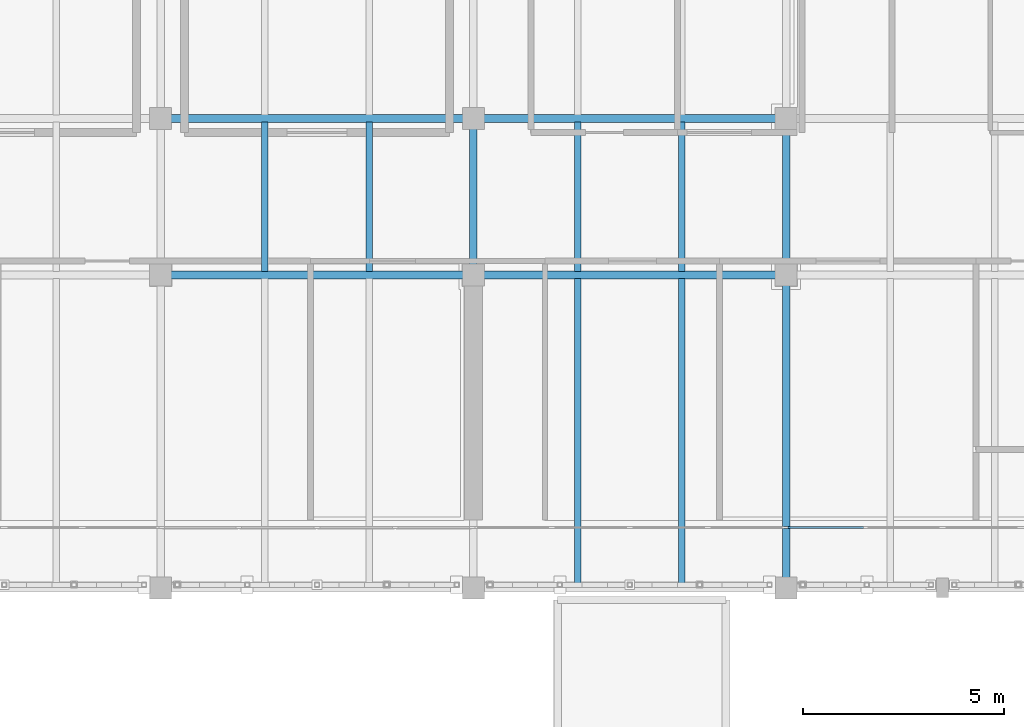
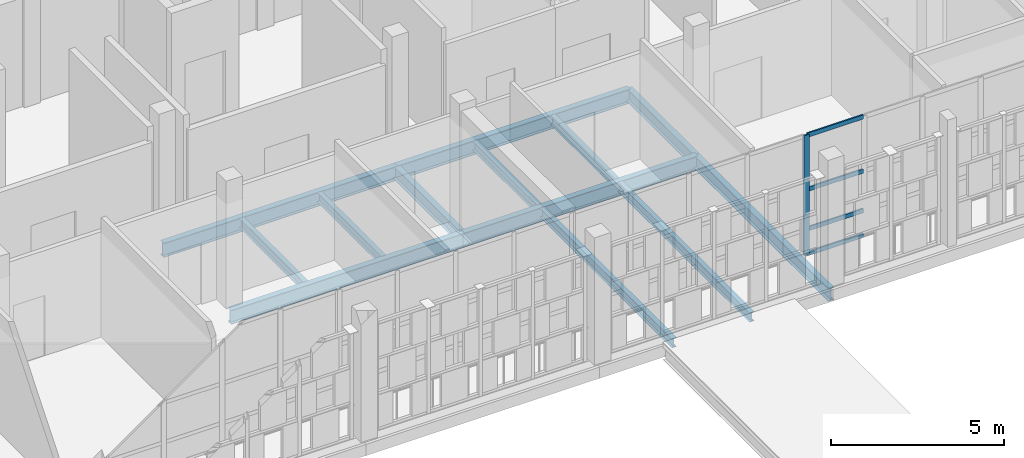
# One storey, part 53 of 119: 13 beams, 5 members, 1 element without a shape of its own.
"""IFC4 building model written with IfcOpenShell, lengths in metres."""

from ifc_helpers import new_model, si_unit, direction, frame, origin, origin_2d, place, context, subcontext, project, spatial, rectangle, i_section, extrude, material, layer, layer_set, material_profile, profile_set, type_object, element, aggregate, save


model = new_model("IFC4")

# Units and contexts
model_context = context("Model", 3, precision=1e-05, world=origin(), true_north=direction((0.0, 1.0)))
body_context = subcontext(model_context, "Body", "Model", "MODEL_VIEW")
ifc_project = project(units=[si_unit("LENGTHUNIT", "METRE"), si_unit("AREAUNIT", "SQUARE_METRE"), si_unit("VOLUMEUNIT", "CUBIC_METRE"), si_unit("PLANEANGLEUNIT", "RADIAN"), si_unit("MASSUNIT", "GRAM", prefix="KILO")], contexts=[model_context])

# Site, building, storey
site_placement = place(None, origin())
site = spatial("IfcSite", under=ifc_project, at=site_placement, CompositionType="ELEMENT")
building_placement = place(site_placement, origin())
building = spatial("IfcBuilding", under=site, at=building_placement, Name="Celorna Specialist Clinic", CompositionType="ELEMENT")
storey_placement = place(building_placement, frame((0.0, 0.0, 9.60009765625)))
storey = spatial("IfcBuildingStorey", under=building, at=storey_placement, Name="L02", CompositionType="ELEMENT", Elevation=9.60009765625)

# Beams
ifc_material_1 = material(Name="Steel S355", Category="steel")
ifc_material_profile_1 = material_profile(ifc_material_1, i_section(OverallWidth=0.199951171875, OverallDepth=0.5, WebThickness=0.01025390625, FlangeThickness=0.01611328125, at=origin_2d()), Name="IPE 500")
ifc_profile_set_1 = profile_set([ifc_material_profile_1], Name="Steel S355")
beam_type_1 = type_object("IfcBeamType", Name="BM-08", PredefinedType="BEAM", material=ifc_profile_set_1)
for number, where, z_axis, x_axis, name in (
    (1, (62.39990234375, 104.300048828125, -0.510009765625), (1.0, 0.0, 0.0), (0.0, 1.0, 0.0), "Primary girder BM-08 #1079"),
    (2, (70.199951171875, 104.300048828125, -0.510009765625), (1.0, 0.0, 0.0), (0.0, 1.0, 0.0), "Primary girder BM-08 #1080"),
    (3, (62.39990234375, 108.199951171875, -0.510009765625), (1.0, 0.0, 0.0), (0.0, 1.0, 0.0), "Primary girder BM-08 #1090"),
    (4, (70.199951171875, 108.199951171875, -0.510009765625), (1.0, 0.0, 0.0), (0.0, 1.0, 0.0), "Primary girder BM-08 #1091"),
):
    element("IfcBeam", number, at=place(storey_placement, frame(where, z_axis=z_axis, x_axis=x_axis)), inside=storey, type_object=beam_type_1, Name=name, PredefinedType="BEAM", context=body_context, shape_type="SweptSolid", body=[
        extrude(i_section(OverallWidth=0.199951171875, OverallDepth=0.5, WebThickness=0.01025390625, FlangeThickness=0.01611328125, at=origin_2d()), origin(), (0.0, 0.0, 1.0), 7.800048828125),
    ])
ifc_material_profile_2 = material_profile(ifc_material_1, i_section(OverallWidth=0.18994140625, OverallDepth=0.449951171875, WebThickness=0.009521484375, FlangeThickness=0.0146484375, at=origin_2d()), Name="IPE 450")
ifc_profile_set_2 = profile_set([ifc_material_profile_2], Name="Steel S355")
beam_type_2 = type_object("IfcBeamType", Name="BM-09", PredefinedType="BEAM", material=ifc_profile_set_2)
beam_1_placement = place(storey_placement, frame((70.199951171875, 104.300048828125, -0.485107421875), z_axis=(0.0, 1.0, 0.0), x_axis=(-1.0, 0.0, 0.0)))
element("IfcBeam", 5, at=beam_1_placement, inside=storey, type_object=beam_type_2, Name="Transverse girder BM-09 #1120", PredefinedType="BEAM", context=body_context, shape_type="SweptSolid", body=[
    extrude(i_section(OverallWidth=0.18994140625, OverallDepth=0.449951171875, WebThickness=0.009521484375, FlangeThickness=0.0146484375, at=origin_2d()), origin(), (0.0, 0.0, 1.0), 3.89990234375),
])
beam_2_placement = place(storey_placement, frame((78.0, 96.5, -0.485107421875), z_axis=(0.0, 1.0, 0.0), x_axis=(-1.0, 0.0, 0.0)))
element("IfcBeam", 6, at=beam_2_placement, inside=storey, type_object=beam_type_2, Name="Transverse girder BM-09 #1122", PredefinedType="BEAM", context=body_context, shape_type="SweptSolid", body=[
    extrude(i_section(OverallWidth=0.18994140625, OverallDepth=0.449951171875, WebThickness=0.009521484375, FlangeThickness=0.0146484375, at=origin_2d()), origin(), (0.0, 0.0, 1.0), 7.800048828125),
])
beam_3_placement = place(storey_placement, frame((78.0, 104.300048828125, -0.485107421875), z_axis=(0.0, 1.0, 0.0), x_axis=(-1.0, 0.0, 0.0)))
element("IfcBeam", 7, at=beam_3_placement, inside=storey, type_object=beam_type_2, Name="Transverse girder BM-09 #1123", PredefinedType="BEAM", context=body_context, shape_type="SweptSolid", body=[
    extrude(i_section(OverallWidth=0.18994140625, OverallDepth=0.449951171875, WebThickness=0.009521484375, FlangeThickness=0.0146484375, at=origin_2d()), origin(), (0.0, 0.0, 1.0), 3.89990234375),
])
ifc_material_profile_3 = material_profile(ifc_material_1, i_section(OverallWidth=0.159912109375, OverallDepth=0.330078125, WebThickness=0.007568359375, FlangeThickness=0.011474609375, at=origin_2d()), Name="IPE 330")
ifc_profile_set_3 = profile_set([ifc_material_profile_3], Name="Steel S355")
beam_type_3 = type_object("IfcBeamType", Name="BM-12", PredefinedType="JOIST", material=ifc_profile_set_3)
for number, where, z_axis, x_axis, name in (
    (8, (65.0, 104.387939453125, -0.425048828125), (0.0, 1.0, 0.0), (-1.0, 0.0, 0.0), "Secondary floor joist BM-12 #1157"),
    (9, (67.60009765625, 104.387939453125, -0.425048828125), (0.0, 1.0, 0.0), (-1.0, 0.0, 0.0), "Secondary floor joist BM-12 #1158"),
):
    element("IfcBeam", number, at=place(storey_placement, frame(where, z_axis=z_axis, x_axis=x_axis)), inside=storey, type_object=beam_type_3, Name=name, PredefinedType="JOIST", context=body_context, shape_type="SweptSolid", body=[
        extrude(i_section(OverallWidth=0.159912109375, OverallDepth=0.330078125, WebThickness=0.007568359375, FlangeThickness=0.011474609375, at=origin_2d()), origin(), (0.0, 0.0, 1.0), 3.72412109375),
    ])
for number, where, z_axis, x_axis, name in (
    (10, (72.800048828125, 96.587890625, -0.425048828125), (0.0, 1.0, 0.0), (-1.0, 0.0, 0.0), "Secondary floor joist BM-12 #1161"),
    (11, (75.39990234375, 96.587890625, -0.425048828125), (0.0, 1.0, 0.0), (-1.0, 0.0, 0.0), "Secondary floor joist BM-12 #1162"),
):
    element("IfcBeam", number, at=place(storey_placement, frame(where, z_axis=z_axis, x_axis=x_axis)), inside=storey, type_object=beam_type_3, Name=name, PredefinedType="JOIST", context=body_context, shape_type="SweptSolid", body=[
        extrude(i_section(OverallWidth=0.159912109375, OverallDepth=0.330078125, WebThickness=0.007568359375, FlangeThickness=0.011474609375, at=origin_2d()), origin(), (0.0, 0.0, 1.0), 7.6240234375),
    ])
for number, where, z_axis, x_axis, name in (
    (12, (72.800048828125, 104.387939453125, -0.425048828125), (0.0, 1.0, 0.0), (-1.0, 0.0, 0.0), "Secondary floor joist BM-12 #1163"),
    (13, (75.39990234375, 104.387939453125, -0.425048828125), (0.0, 1.0, 0.0), (-1.0, 0.0, 0.0), "Secondary floor joist BM-12 #1164"),
):
    element("IfcBeam", number, at=place(storey_placement, frame(where, z_axis=z_axis, x_axis=x_axis)), inside=storey, type_object=beam_type_3, Name=name, PredefinedType="JOIST", context=body_context, shape_type="SweptSolid", body=[
        extrude(i_section(OverallWidth=0.159912109375, OverallDepth=0.330078125, WebThickness=0.007568359375, FlangeThickness=0.011474609375, at=origin_2d()), origin(), (0.0, 0.0, 1.0), 3.72412109375),
    ])

# Curtain wall, members
ifc_material_2 = material(Name="Thermally broken aluminium and solar-control glass curtain wall", Category="aluminium")
ifc_layer = layer(ifc_material_2, 0.159912109375, Name="Thermally broken aluminium and solar-control glass curtain wall")
ifc_layer_set = layer_set([ifc_layer], Name="Thermally broken aluminium and solar-control glass curtain wall")
curtain_wall_type = type_object("IfcCurtainWallType", Name="CW-67", PredefinedType="NOTDEFINED", material=ifc_layer_set)
curtain_wall_placement = place(storey_placement, origin())
curtain_wall = element("IfcCurtainWall", 14, at=curtain_wall_placement, inside=storey, type_object=curtain_wall_type, Name="Curtain wall CW-67 #124", PredefinedType="NOTDEFINED")
ifc_material_3 = material(Name="Anodized aluminium mullion", Category="aluminium")
ifc_material_profile_4 = material_profile(ifc_material_3, rectangle(XDim=0.050048828125, YDim=0.179931640625, at=origin_2d()), Name="ALU MULLION 50x180")
ifc_profile_set_4 = profile_set([ifc_material_profile_4], Name="Anodized aluminium mullion")
member_type_1 = type_object("IfcMemberType", Name="ML-02", PredefinedType="MULLION", material=ifc_profile_set_4)
member_1_placement = place(storey_placement, frame((78.029052734375, 98.0, 0.0), z_axis=(0.0, 0.0, 1.0), x_axis=(0.0, -1.0, 0.0)))
member_1 = element("IfcMember", 15, at=member_1_placement, type_object=member_type_1, Name="CW-67 mullion 5", PredefinedType="MULLION", context=body_context, shape_type="SweptSolid", body=[
    extrude(rectangle(XDim=0.050048828125, YDim=0.179931640625, at=origin_2d()), origin(), (0.0, 0.0, 1.0), 4.239990234375),
])
ifc_material_4 = material(Name="Anodized aluminium transom", Category="aluminium")
ifc_material_profile_5 = material_profile(ifc_material_4, rectangle(XDim=0.050048828125, YDim=0.14990234375, at=origin_2d()), Name="ALU TRANSOM 50x150")
ifc_profile_set_5 = profile_set([ifc_material_profile_5], Name="Anodized aluminium transom")
member_type_2 = type_object("IfcMemberType", Name="TR-02", PredefinedType="USERDEFINED", material=ifc_profile_set_5)
member_2_placement = place(storey_placement, frame((79.927001953125, 98.0, 0.02490234375), z_axis=(-1.0, 0.0, 0.0), x_axis=(0.0, -1.0, 0.0)))
member_2 = element("IfcMember", 16, at=member_2_placement, type_object=member_type_2, Name="CW-67 transom 4.1", ObjectType="TRANSOM", PredefinedType="USERDEFINED", context=body_context, shape_type="SweptSolid", body=[
    extrude(rectangle(XDim=0.050048828125, YDim=0.14990234375, at=origin_2d()), origin(), (0.0, 0.0, 1.0), 1.873046875),
])
member_3_placement = place(storey_placement, frame((79.927001953125, 98.0, 0.89990234375), z_axis=(-1.0, 0.0, 0.0), x_axis=(0.0, -1.0, 0.0)))
member_3 = element("IfcMember", 17, at=member_3_placement, type_object=member_type_2, Name="CW-67 transom 4.2", ObjectType="TRANSOM", PredefinedType="USERDEFINED", context=body_context, shape_type="SweptSolid", body=[
    extrude(rectangle(XDim=0.050048828125, YDim=0.14990234375, at=origin_2d()), origin(), (0.0, 0.0, 1.0), 1.873046875),
])
member_4_placement = place(storey_placement, frame((79.927001953125, 98.0, 2.2998046875), z_axis=(-1.0, 0.0, 0.0), x_axis=(0.0, -1.0, 0.0)))
member_4 = element("IfcMember", 18, at=member_4_placement, type_object=member_type_2, Name="CW-67 transom 4.3", ObjectType="TRANSOM", PredefinedType="USERDEFINED", context=body_context, shape_type="SweptSolid", body=[
    extrude(rectangle(XDim=0.050048828125, YDim=0.14990234375, at=origin_2d()), origin(), (0.0, 0.0, 1.0), 1.873046875),
])
member_5_placement = place(storey_placement, frame((79.927001953125, 98.0, 4.21484375), z_axis=(-1.0, 0.0, 0.0), x_axis=(0.0, -1.0, 0.0)))
member_5 = element("IfcMember", 19, at=member_5_placement, type_object=member_type_2, Name="CW-67 transom 4.4", ObjectType="TRANSOM", PredefinedType="USERDEFINED", context=body_context, shape_type="SweptSolid", body=[
    extrude(rectangle(XDim=0.050048828125, YDim=0.14990234375, at=origin_2d()), origin(), (0.0, 0.0, 1.0), 1.873046875),
])
aggregate(curtain_wall, [member_1, member_2, member_3, member_4, member_5])

save(model, "model.ifc")
